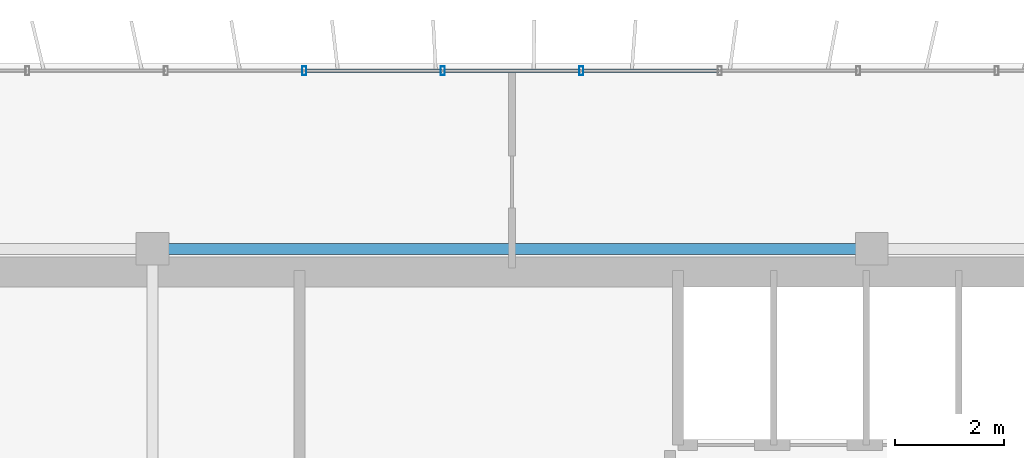
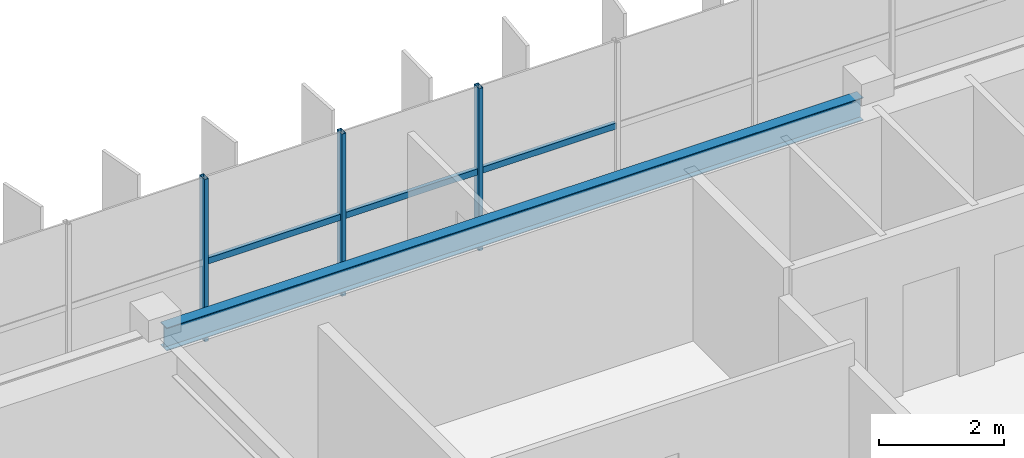
# One storey, part 13 of 26: 6 members, 1 beam, 1 element without a shape of its own.
"""IFC4 building model written with IfcOpenShell, lengths in metres."""

from ifc_helpers import new_model, si_unit, direction, frame, origin, origin_2d, place, context, subcontext, project, spatial, hollow_rectangle, i_section, extrude, source, transform, mapped, material, material_profile, profile_set, type_object, element, aggregate, save


model = new_model("IFC4")

# Units and contexts
model_context = context("Model", 3, precision=1e-05, world=origin(), true_north=direction((0.0, 1.0)))
body_context = subcontext(model_context, "Body", "Model", "MODEL_VIEW")
ifc_project = project(units=[si_unit("LENGTHUNIT", "METRE"), si_unit("AREAUNIT", "SQUARE_METRE"), si_unit("VOLUMEUNIT", "CUBIC_METRE"), si_unit("PLANEANGLEUNIT", "RADIAN"), si_unit("MASSUNIT", "GRAM", prefix="KILO")], contexts=[model_context])

# Site, building, storey
site_placement = place(None, origin())
site = spatial("IfcSite", under=ifc_project, at=site_placement, CompositionType="ELEMENT")
building_placement = place(site_placement, origin())
building = spatial("IfcBuilding", under=site, at=building_placement, Name="Trelvane Seafront Commons", CompositionType="ELEMENT")
storey_placement = place(building_placement, frame((0.0, 0.0, 291.89990234375)))
storey = spatial("IfcBuildingStorey", under=building, at=storey_placement, Name="L76", CompositionType="ELEMENT", Elevation=291.89990234375)

# Beam
ifc_material_1 = material(Name="Steel SM355 (S355)", Category="steel")
ifc_material_profile_1 = material_profile(ifc_material_1, i_section(OverallWidth=0.199951171875, OverallDepth=0.449951171875, WebThickness=0.009033203125, FlangeThickness=0.013916015625, at=origin_2d()), Name="H-450x200x9x14")
ifc_profile_set_1 = profile_set([ifc_material_profile_1], Name="Steel SM355 (S355)")
beam_type = type_object("IfcBeamType", Name="STR-SPD-H450", PredefinedType="SPANDREL", material=ifc_profile_set_1)
shared_shape_1 = source(origin(), body_context, "Body", "SweptSolid", [
    extrude(i_section(OverallWidth=0.199951171875, OverallDepth=0.449951171875, WebThickness=0.009033203125, FlangeThickness=0.013916015625, at=origin_2d()), origin(), (0.0, 0.0, 1.0), 12.89990234375),
])
beam_placement = place(storey_placement, frame((30.75, 45.10009765625, 2.955078125), z_axis=(1.0, 0.0, 0.0), x_axis=(0.0, 1.0, 0.0)))
element("IfcBeam", 1, at=beam_placement, inside=storey, type_object=beam_type, Name="L76 Primary Girder G-25", PredefinedType="SPANDREL", context=body_context, shape_type="MappedRepresentation", body=[
    mapped(shared_shape_1, transform((0.0, 0.0, 0.0), x_axis=(1.0, 0.0, 0.0), y_axis=(0.0, 1.0, 0.0), z_axis=(0.0, 0.0, 1.0), scale=1.0)),
])

# Curtain wall, members
ifc_material_2 = material(Name="Anodised pale-silver aluminium", Category="aluminium")
curtain_wall_type = type_object("IfcCurtainWallType", Name="ARCH-CW5-UPTOWER", PredefinedType="NOTDEFINED", material=ifc_material_2)
curtain_wall_placement = place(storey_placement, origin())
curtain_wall = element("IfcCurtainWall", 2, at=curtain_wall_placement, inside=storey, type_object=curtain_wall_type, Name="CW-L76-0120", PredefinedType="NOTDEFINED")
ifc_material_profile_2 = material_profile(ifc_material_2, hollow_rectangle(XDim=0.070068359375, YDim=0.1201171875, WallThickness=0.00390625, at=origin_2d()), Name="TRAN-70x120x4")
ifc_profile_set_2 = profile_set([ifc_material_profile_2], Name="Anodised pale-silver aluminium")
member_type_1 = type_object("IfcMemberType", Name="ARCH-CW-TRAN-120", PredefinedType="USERDEFINED", material=ifc_profile_set_2)
shared_shape_2 = source(origin(), body_context, "Body", "SweptSolid", [
    extrude(hollow_rectangle(XDim=0.070068359375, YDim=0.1201171875, WallThickness=0.00390625, at=origin_2d()), origin(), (0.0, 0.0, 1.0), 2.51708984375),
])
member_1_placement = place(storey_placement, frame((35.94140625, 48.3701171875, 1.526123046875), z_axis=(1.0, 0.0, 0.0), x_axis=(0.0, 1.0, 0.0)))
member_1 = element("IfcMember", 3, at=member_1_placement, type_object=member_type_1, Name="CW-L76-0120-T08", ObjectType="TRANSOM", PredefinedType="USERDEFINED", context=body_context, shape_type="MappedRepresentation", body=[
    mapped(shared_shape_2, transform((0.0, 0.0, 0.0), x_axis=(1.0, 0.0, 0.0), y_axis=(0.0, 1.0, 0.0), z_axis=(0.0, 0.0, 1.0), scale=1.0)),
])
member_2_placement = place(storey_placement, frame((38.482666015625, 48.3701171875, 1.526123046875), z_axis=(1.0, 0.0, 0.0), x_axis=(0.0, 1.0, 0.0)))
member_2 = element("IfcMember", 4, at=member_2_placement, type_object=member_type_1, Name="CW-L76-0120-T09", ObjectType="TRANSOM", PredefinedType="USERDEFINED", context=body_context, shape_type="MappedRepresentation", body=[
    mapped(shared_shape_2, transform((0.0, 0.0, 0.0), x_axis=(1.0, 0.0, 0.0), y_axis=(0.0, 1.0, 0.0), z_axis=(0.0, 0.0, 1.0), scale=1.0)),
])
shared_shape_3 = source(origin(), body_context, "Body", "SweptSolid", [
    extrude(hollow_rectangle(XDim=0.070068359375, YDim=0.1201171875, WallThickness=0.00390625, at=origin_2d()), origin(), (0.0, 0.0, 1.0), 2.517333984375),
])
member_3_placement = place(storey_placement, frame((33.400146484375, 48.3701171875, 1.526123046875), z_axis=(1.0, 0.0, 0.0), x_axis=(0.0, 1.0, 0.0)))
member_3 = element("IfcMember", 5, at=member_3_placement, type_object=member_type_1, Name="CW-L76-0120-T07", ObjectType="TRANSOM", PredefinedType="USERDEFINED", context=body_context, shape_type="MappedRepresentation", body=[
    mapped(shared_shape_3, transform((0.0, 0.0, 0.0), x_axis=(1.0, 0.0, 0.0), y_axis=(0.0, 1.0, 0.0), z_axis=(0.0, 0.0, 1.0), scale=1.0)),
])
ifc_material_profile_3 = material_profile(ifc_material_2, hollow_rectangle(XDim=0.074951171875, YDim=0.159912109375, WallThickness=0.00390625, at=origin_2d()), Name="MULL-75x160x4")
ifc_profile_set_3 = profile_set([ifc_material_profile_3], Name="Anodised pale-silver aluminium")
member_type_2 = type_object("IfcMemberType", Name="ARCH-CW-MULL-160", PredefinedType="MULLION", material=ifc_profile_set_3)
shared_shape_4 = source(origin(), body_context, "Body", "SweptSolid", [
    extrude(hollow_rectangle(XDim=0.074951171875, YDim=0.159912109375, WallThickness=0.00390625, at=origin_2d()), origin(), (0.0, 0.0, 1.0), 3.18017578125),
])
member_4_placement = place(storey_placement, frame((33.38818359375, 48.3701171875, 0.0), z_axis=(0.0, 0.0, 1.0), x_axis=(1.0, 0.0, 0.0)))
member_4 = element("IfcMember", 6, at=member_4_placement, type_object=member_type_2, Name="CW-L76-0120-M07", PredefinedType="MULLION", context=body_context, shape_type="MappedRepresentation", body=[
    mapped(shared_shape_4, transform((0.0, 0.0, 0.0), x_axis=(1.0, 0.0, 0.0), y_axis=(0.0, 1.0, 0.0), z_axis=(0.0, 0.0, 1.0), scale=1.0)),
])
member_5_placement = place(storey_placement, frame((35.929443359375, 48.3701171875, 0.0), z_axis=(0.0, 0.0, 1.0), x_axis=(1.0, 0.0, 0.0)))
member_5 = element("IfcMember", 7, at=member_5_placement, type_object=member_type_2, Name="CW-L76-0120-M08", PredefinedType="MULLION", context=body_context, shape_type="MappedRepresentation", body=[
    mapped(shared_shape_4, transform((0.0, 0.0, 0.0), x_axis=(1.0, 0.0, 0.0), y_axis=(0.0, 1.0, 0.0), z_axis=(0.0, 0.0, 1.0), scale=1.0)),
])
member_6_placement = place(storey_placement, frame((38.470703125, 48.3701171875, 0.0), z_axis=(0.0, 0.0, 1.0), x_axis=(1.0, 0.0, 0.0)))
member_6 = element("IfcMember", 8, at=member_6_placement, type_object=member_type_2, Name="CW-L76-0120-M09", PredefinedType="MULLION", context=body_context, shape_type="MappedRepresentation", body=[
    mapped(shared_shape_4, transform((0.0, 0.0, 0.0), x_axis=(1.0, 0.0, 0.0), y_axis=(0.0, 1.0, 0.0), z_axis=(0.0, 0.0, 1.0), scale=1.0)),
])
aggregate(curtain_wall, [member_4, member_5, member_6, member_3, member_1, member_2])

save(model, "model.ifc")
